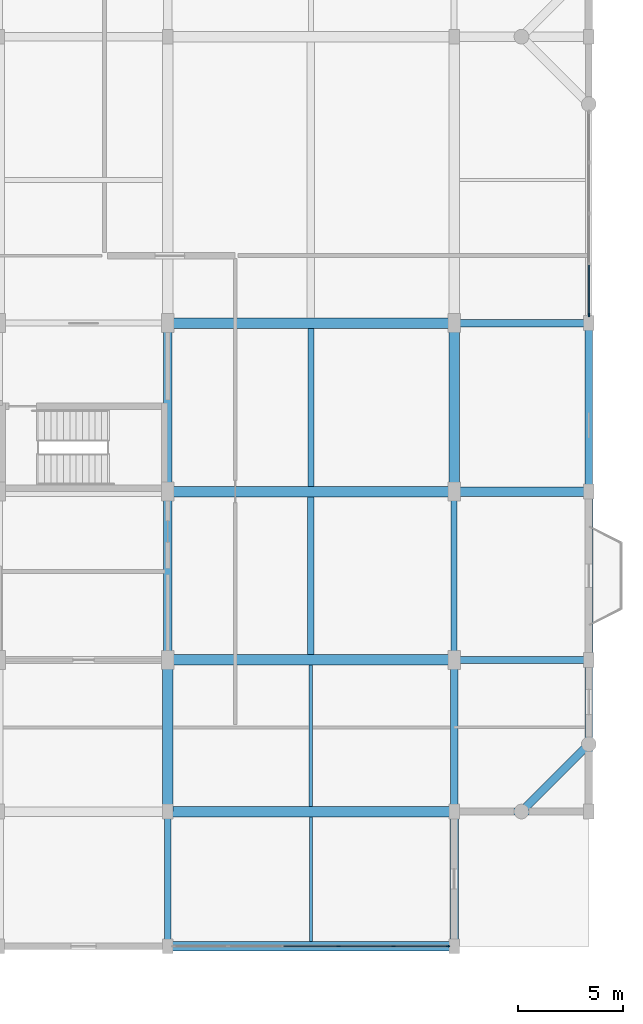
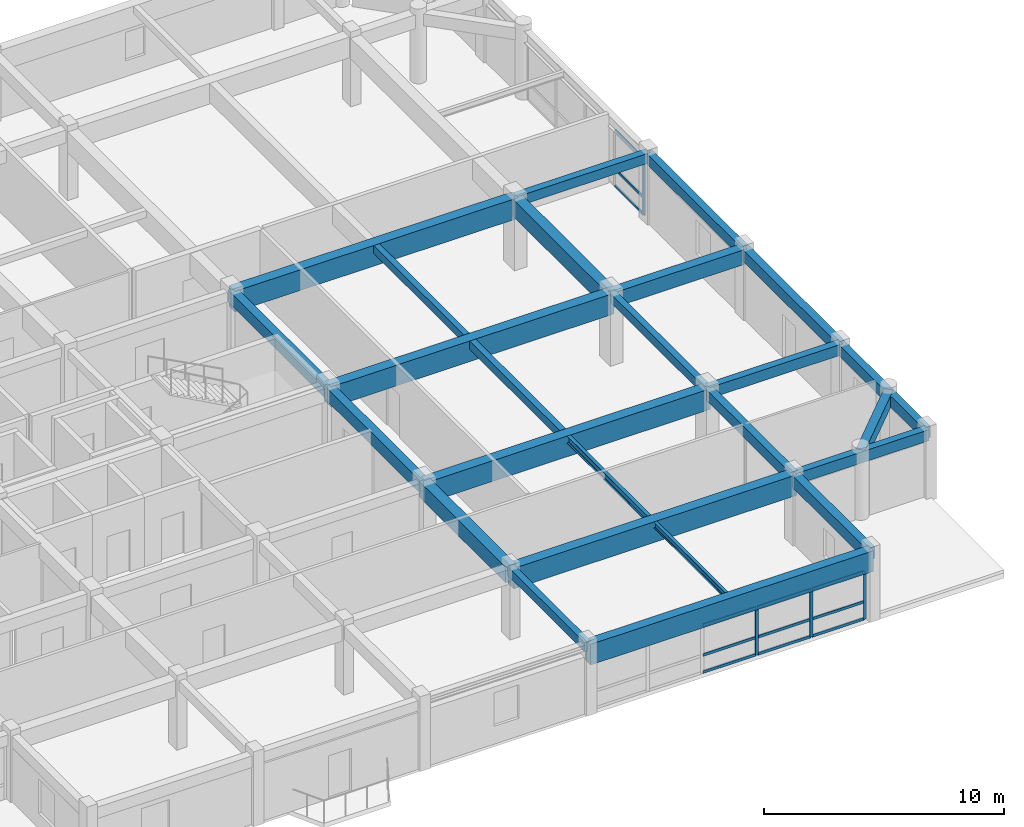
# One storey, part 5 of 14: 25 beams, 16 members, 2 elements without a shape of their own.
"""IFC4 building model written with IfcOpenShell, lengths in metres."""

from ifc_helpers import new_model, si_unit, direction, frame, origin, origin_2d, place, context, subcontext, project, spatial, rectangle, i_section, extrude, material, material_profile, profile_set, type_object, element, aggregate, save


model = new_model("IFC4")

# Units and contexts
model_context = context("Model", 3, precision=1e-05, world=origin(), true_north=direction((0.0, 1.0)))
body_context = subcontext(model_context, "Body", "Model", "MODEL_VIEW")
ifc_project = project(units=[si_unit("LENGTHUNIT", "METRE"), si_unit("AREAUNIT", "SQUARE_METRE"), si_unit("VOLUMEUNIT", "CUBIC_METRE"), si_unit("PLANEANGLEUNIT", "RADIAN"), si_unit("MASSUNIT", "GRAM", prefix="KILO")], contexts=[model_context])

# Site, building, storey
site_placement = place(None, origin())
site = spatial("IfcSite", under=ifc_project, at=site_placement, CompositionType="ELEMENT")
building_placement = place(site_placement, origin())
building = spatial("IfcBuilding", under=site, at=building_placement, Name="Vellmiral Cinema and Media Centre", CompositionType="ELEMENT")
storey_placement = place(building_placement, frame((0.0, 0.0, 47.10009765625)))
storey = spatial("IfcBuildingStorey", under=building, at=storey_placement, Name="L11", CompositionType="ELEMENT", Elevation=47.10009765625)

# Beams
ifc_material_1 = material(Name="Concrete C40/50", Category="concrete")
ifc_material_profile_1 = material_profile(ifc_material_1, rectangle(XDim=0.300048828125, YDim=0.449951171875, at=origin_2d()), Name="RC 300x450")
ifc_profile_set_1 = profile_set([ifc_material_profile_1], Name="Concrete C40/50")
beam_type_1 = type_object("IfcBeamType", Name="BM-RC-300x450", PredefinedType="BEAM", material=ifc_profile_set_1)
beam_1_placement = place(storey_placement, frame((148.0, 65.60009765625, 3.27001953125), z_axis=(0.0, 1.0, 0.0), x_axis=(-1.0, 0.0, 0.0)))
element("IfcBeam", 1, at=beam_1_placement, inside=storey, type_object=beam_type_1, Name="Grid Beam L11-Y063", PredefinedType="BEAM", context=body_context, shape_type="SweptSolid", body=[
    extrude(rectangle(XDim=0.300048828125, YDim=0.449951171875, at=origin_2d()), origin(), (0.0, 0.0, 1.0), 6.39990234375),
])
beam_2_placement = place(storey_placement, frame((161.60009765625, 79.199951171875, 3.27001953125), z_axis=(0.0, 1.0, 0.0), x_axis=(-1.0, 0.0, 0.0)))
element("IfcBeam", 2, at=beam_2_placement, inside=storey, type_object=beam_type_1, Name="Grid Beam L11-Y071", PredefinedType="BEAM", context=body_context, shape_type="SweptSolid", body=[
    extrude(rectangle(XDim=0.300048828125, YDim=0.449951171875, at=origin_2d()), origin(), (0.0, 0.0, 1.0), 8.0),
])
ifc_material_2 = material(Name="Concrete C40/50", Category="concrete")
ifc_material_profile_2 = material_profile(ifc_material_2, rectangle(XDim=0.35009765625, YDim=0.5, at=origin_2d()), Name="RC 350x500")
ifc_profile_set_2 = profile_set([ifc_material_profile_2], Name="Concrete C40/50")
beam_type_2 = type_object("IfcBeamType", Name="BM-RC-350x500", PredefinedType="BEAM", material=ifc_profile_set_2)
beam_3_placement = place(storey_placement, frame((161.60009765625, 95.199951171875, 3.244873046875), z_axis=(1.0, 0.0, 0.0), x_axis=(0.0, 1.0, 0.0)))
element("IfcBeam", 3, at=beam_3_placement, inside=storey, type_object=beam_type_2, Name="Grid Beam L11-X028", PredefinedType="BEAM", context=body_context, shape_type="SweptSolid", body=[
    extrude(rectangle(XDim=0.35009765625, YDim=0.5, at=origin_2d()), origin(), (0.0, 0.0, 1.0), 6.39990234375),
])
ifc_material_3 = material(Name="Concrete C40/50", Category="concrete")
ifc_material_profile_3 = material_profile(ifc_material_3, rectangle(XDim=0.35009765625, YDim=0.550048828125, at=origin_2d()), Name="RC 350x550")
ifc_profile_set_3 = profile_set([ifc_material_profile_3], Name="Concrete C40/50")
beam_type_3 = type_object("IfcBeamType", Name="BM-RC-350x550", PredefinedType="BEAM", material=ifc_profile_set_3)
beam_4_placement = place(storey_placement, frame((161.60009765625, 79.199951171875, 3.219970703125), z_axis=(1.0, 0.0, 0.0), x_axis=(0.0, 1.0, 0.0)))
element("IfcBeam", 4, at=beam_4_placement, inside=storey, type_object=beam_type_3, Name="Grid Beam L11-X016", PredefinedType="BEAM", context=body_context, shape_type="SweptSolid", body=[
    extrude(rectangle(XDim=0.35009765625, YDim=0.550048828125, at=origin_2d()), origin(), (0.0, 0.0, 1.0), 6.39990234375),
])
beam_5_placement = place(storey_placement, frame((161.60009765625, 72.0, 3.219970703125), z_axis=(0.0, 1.0, 0.0), x_axis=(-1.0, 0.0, 0.0)))
element("IfcBeam", 5, at=beam_5_placement, inside=storey, type_object=beam_type_3, Name="Grid Beam L11-Y070", PredefinedType="BEAM", context=body_context, shape_type="SweptSolid", body=[
    extrude(rectangle(XDim=0.35009765625, YDim=0.550048828125, at=origin_2d()), origin(), (0.0, 0.0, 1.0), 7.199951171875),
])
ifc_material_4 = material(Name="Concrete C40/50", Category="concrete")
ifc_material_profile_4 = material_profile(ifc_material_4, rectangle(XDim=0.39990234375, YDim=0.60009765625, at=origin_2d()), Name="RC 400x600")
ifc_profile_set_4 = profile_set([ifc_material_profile_4], Name="Concrete C40/50")
beam_type_4 = type_object("IfcBeamType", Name="BM-RC-400x600", PredefinedType="BEAM", material=ifc_profile_set_4)
beam_6_placement = place(storey_placement, frame((148.0, 87.199951171875, 3.19482421875), z_axis=(0.0, 1.0, 0.0), x_axis=(-1.0, 0.0, 0.0)))
element("IfcBeam", 6, at=beam_6_placement, inside=storey, type_object=beam_type_4, Name="Grid Beam L11-Y066", PredefinedType="BEAM", context=body_context, shape_type="SweptSolid", body=[
    extrude(rectangle(XDim=0.39990234375, YDim=0.60009765625, at=origin_2d()), origin(), (0.0, 0.0, 1.0), 8.0),
])
ifc_material_5 = material(Name="Concrete C40/50", Category="concrete")
ifc_material_profile_5 = material_profile(ifc_material_5, rectangle(XDim=0.39990234375, YDim=0.64990234375, at=origin_2d()), Name="RC 400x650")
ifc_profile_set_5 = profile_set([ifc_material_profile_5], Name="Concrete C40/50")
beam_type_5 = type_object("IfcBeamType", Name="BM-RC-400x650", PredefinedType="BEAM", material=ifc_profile_set_5)
beam_7_placement = place(storey_placement, frame((148.0, 79.199951171875, 3.169921875), z_axis=(0.0, 1.0, 0.0), x_axis=(-1.0, 0.0, 0.0)))
element("IfcBeam", 7, at=beam_7_placement, inside=storey, type_object=beam_type_5, Name="Grid Beam L11-Y065", PredefinedType="BEAM", context=body_context, shape_type="SweptSolid", body=[
    extrude(rectangle(XDim=0.39990234375, YDim=0.64990234375, at=origin_2d()), origin(), (0.0, 0.0, 1.0), 8.0),
])
ifc_material_6 = material(Name="Concrete C40/50", Category="concrete")
ifc_material_profile_6 = material_profile(ifc_material_6, rectangle(XDim=0.449951171875, YDim=0.75, at=origin_2d()), Name="RC 450x750")
ifc_profile_set_6 = profile_set([ifc_material_profile_6], Name="Concrete C40/50")
beam_type_6 = type_object("IfcBeamType", Name="BM-RC-450x750", PredefinedType="BEAM", material=ifc_profile_set_6)
beam_8_placement = place(storey_placement, frame((161.60009765625, 87.199951171875, 3.119873046875), z_axis=(1.0, 0.0, 0.0), x_axis=(0.0, 1.0, 0.0)))
element("IfcBeam", 8, at=beam_8_placement, inside=storey, type_object=beam_type_6, Name="Grid Beam L11-X022", PredefinedType="BEAM", context=body_context, shape_type="SweptSolid", body=[
    extrude(rectangle(XDim=0.449951171875, YDim=0.75, at=origin_2d()), origin(), (0.0, 0.0, 1.0), 6.39990234375),
])
ifc_material_7 = material(Name="Concrete C40/50", Category="concrete")
ifc_material_profile_7 = material_profile(ifc_material_7, rectangle(XDim=0.5, YDim=0.800048828125, at=origin_2d()), Name="RC 500x800")
ifc_profile_set_7 = profile_set([ifc_material_profile_7], Name="Concrete C40/50")
beam_type_7 = type_object("IfcBeamType", Name="BM-RC-500x800", PredefinedType="BEAM", material=ifc_profile_set_7)
beam_9_placement = place(storey_placement, frame((148.0, 72.0, 3.094970703125), z_axis=(0.0, 1.0, 0.0), x_axis=(-1.0, 0.0, 0.0)))
element("IfcBeam", 9, at=beam_9_placement, inside=storey, type_object=beam_type_7, Name="Grid Beam L11-Y064", PredefinedType="BEAM", context=body_context, shape_type="SweptSolid", body=[
    extrude(rectangle(XDim=0.5, YDim=0.800048828125, at=origin_2d()), origin(), (0.0, 0.0, 1.0), 7.199951171875),
])
ifc_material_8 = material(Name="Concrete C40/50", Category="concrete")
ifc_material_profile_8 = material_profile(ifc_material_8, rectangle(XDim=0.5, YDim=0.85009765625, at=origin_2d()), Name="RC 500x850")
ifc_profile_set_8 = profile_set([ifc_material_profile_8], Name="Concrete C40/50")
beam_type_8 = type_object("IfcBeamType", Name="BM-RC-500x850", PredefinedType="BEAM", material=ifc_profile_set_8)
beam_10_placement = place(storey_placement, frame((161.60009765625, 87.199951171875, 3.06982421875), z_axis=(0.0, 1.0, 0.0), x_axis=(-1.0, 0.0, 0.0)))
element("IfcBeam", 10, at=beam_10_placement, inside=storey, type_object=beam_type_8, Name="Grid Beam L11-Y072", PredefinedType="BEAM", context=body_context, shape_type="SweptSolid", body=[
    extrude(rectangle(XDim=0.5, YDim=0.85009765625, at=origin_2d()), origin(), (0.0, 0.0, 1.0), 8.0),
])
ifc_material_9 = material(Name="Concrete C40/50", Category="concrete")
ifc_material_profile_9 = material_profile(ifc_material_9, rectangle(XDim=0.5, YDim=1.050048828125, at=origin_2d()), Name="RC 500x1050")
ifc_profile_set_9 = profile_set([ifc_material_profile_9], Name="Concrete C40/50")
beam_type_9 = type_object("IfcBeamType", Name="BM-RCG-500x1050", PredefinedType="BEAM", material=ifc_profile_set_9)
for number, where, z_axis, x_axis, name in (
    (11, (148.0, 72.0, 2.969970703125), (1.0, 0.0, 0.0), (0.0, 1.0, 0.0), "Grid Beam L11-X009"),
    (12, (148.0, 79.199951171875, 2.969970703125), (1.0, 0.0, 0.0), (0.0, 1.0, 0.0), "Grid Beam L11-X015"),
    (13, (148.0, 87.199951171875, 2.969970703125), (1.0, 0.0, 0.0), (0.0, 1.0, 0.0), "Grid Beam L11-X021"),
    (14, (148.0, 95.199951171875, 2.969970703125), (1.0, 0.0, 0.0), (0.0, 1.0, 0.0), "Grid Beam L11-X027"),
):
    element("IfcBeam", number, at=place(storey_placement, frame(where, z_axis=z_axis, x_axis=x_axis)), inside=storey, type_object=beam_type_9, Name=name, PredefinedType="BEAM", context=body_context, shape_type="SweptSolid", body=[
        extrude(rectangle(XDim=0.5, YDim=1.050048828125, at=origin_2d()), origin(), (0.0, 0.0, 1.0), 13.60009765625),
    ])

# Curtain wall, members
ifc_material_10 = material(Name="Thermally Broken Aluminium and Triple Glazing", Category="aluminium")
curtain_wall_type = type_object("IfcCurtainWallType", Name="CW-TOWER-MID-E", PredefinedType="USERDEFINED", material=ifc_material_10)
curtain_wall_1_placement = place(storey_placement, origin())
curtain_wall_1 = element("IfcCurtainWall", 15, at=curtain_wall_1_placement, inside=storey, type_object=curtain_wall_type, Name="Curtain Wall L11-B004", ObjectType="UNITISED CURTAIN WALL", PredefinedType="USERDEFINED")
ifc_material_11 = material(Name="Thermally Broken Anodised Aluminium", Category="aluminium")
ifc_material_profile_10 = material_profile(ifc_material_11, rectangle(XDim=0.06494140625, YDim=0.159912109375, at=origin_2d()), Name="MULL 65x160")
ifc_profile_set_10 = profile_set([ifc_material_profile_10], Name="Thermally Broken Anodised Aluminium")
member_type_1 = type_object("IfcMemberType", Name="CWM-65x160", PredefinedType="MULLION", material=ifc_profile_set_10)
member_1_placement = place(storey_placement, frame((156.110107421875, 65.60009765625, 0.0), z_axis=(0.0, 0.0, 1.0), x_axis=(0.0, 1.0, 0.0)))
member_1 = element("IfcMember", 16, at=member_1_placement, type_object=member_type_1, Name="CW-07 mullion 4", PredefinedType="MULLION", context=body_context, shape_type="SweptSolid", body=[
    extrude(rectangle(XDim=0.06494140625, YDim=0.159912109375, at=origin_2d()), origin(), (0.0, 0.0, 1.0), 2.434814453125),
])
member_2_placement = place(storey_placement, frame((158.72998046875, 65.60009765625, 0.0), z_axis=(0.0, 0.0, 1.0), x_axis=(0.0, 1.0, 0.0)))
member_2 = element("IfcMember", 17, at=member_2_placement, type_object=member_type_1, Name="CW-07 mullion 5", PredefinedType="MULLION", context=body_context, shape_type="SweptSolid", body=[
    extrude(rectangle(XDim=0.06494140625, YDim=0.159912109375, at=origin_2d()), origin(), (0.0, 0.0, 1.0), 2.434814453125),
])
member_3_placement = place(storey_placement, frame((161.3173828125, 65.60009765625, 0.0), z_axis=(0.0, 0.0, 1.0), x_axis=(0.0, 1.0, 0.0)))
member_3 = element("IfcMember", 18, at=member_3_placement, type_object=member_type_1, Name="CW-07 mullion 6", PredefinedType="MULLION", context=body_context, shape_type="SweptSolid", body=[
    extrude(rectangle(XDim=0.06494140625, YDim=0.159912109375, at=origin_2d()), origin(), (0.0, 0.0, 1.0), 2.434814453125),
])

# Curtain wall, member
curtain_wall_2_placement = place(storey_placement, origin())
curtain_wall_2 = element("IfcCurtainWall", 19, at=curtain_wall_2_placement, inside=storey, type_object=curtain_wall_type, Name="Curtain Wall L11-B012", ObjectType="UNITISED CURTAIN WALL", PredefinedType="USERDEFINED")
member_4_placement = place(storey_placement, frame((168.0, 95.58251953125, 0.0), z_axis=(0.0, 0.0, 1.0), x_axis=(-1.0, 0.0, 0.0)))
member_4 = element("IfcMember", 20, at=member_4_placement, type_object=member_type_1, Name="CW-07 mullion 1", PredefinedType="MULLION", context=body_context, shape_type="SweptSolid", body=[
    extrude(rectangle(XDim=0.06494140625, YDim=0.159912109375, at=origin_2d()), origin(), (0.0, 0.0, 1.0), 2.885009765625),
])

# Member
ifc_material_12 = material(Name="Thermally Broken Anodised Aluminium", Category="aluminium")
ifc_material_profile_11 = material_profile(ifc_material_12, rectangle(XDim=0.06494140625, YDim=0.135009765625, at=origin_2d()), Name="MULL 65x135")
ifc_profile_set_11 = profile_set([ifc_material_profile_11], Name="Thermally Broken Anodised Aluminium")
member_type_2 = type_object("IfcMemberType", Name="CWT-65x135", PredefinedType="USERDEFINED", material=ifc_profile_set_11)
member_5_placement = place(storey_placement, frame((153.5224609375, 65.60009765625, 0.032470703125), z_axis=(1.0, 0.0, 0.0), x_axis=(0.0, 1.0, 0.0)))
member_5 = element("IfcMember", 21, at=member_5_placement, type_object=member_type_2, Name="CW-07 transom 3.1", ObjectType="TRANSOM", PredefinedType="USERDEFINED", context=body_context, shape_type="SweptSolid", body=[
    extrude(rectangle(XDim=0.06494140625, YDim=0.135009765625, at=origin_2d()), origin(), (0.0, 0.0, 1.0), 2.554931640625),
])

member_6_placement = place(storey_placement, frame((153.5224609375, 65.60009765625, 0.89990234375), z_axis=(1.0, 0.0, 0.0), x_axis=(0.0, 1.0, 0.0)))
member_6 = element("IfcMember", 22, at=member_6_placement, type_object=member_type_2, Name="CW-07 transom 3.2", ObjectType="TRANSOM", PredefinedType="USERDEFINED", context=body_context, shape_type="SweptSolid", body=[
    extrude(rectangle(XDim=0.06494140625, YDim=0.135009765625, at=origin_2d()), origin(), (0.0, 0.0, 1.0), 2.554931640625),
])

member_7_placement = place(storey_placement, frame((153.5224609375, 65.60009765625, 2.40234375), z_axis=(1.0, 0.0, 0.0), x_axis=(0.0, 1.0, 0.0)))
member_7 = element("IfcMember", 23, at=member_7_placement, type_object=member_type_2, Name="CW-07 transom 3.3", ObjectType="TRANSOM", PredefinedType="USERDEFINED", context=body_context, shape_type="SweptSolid", body=[
    extrude(rectangle(XDim=0.06494140625, YDim=0.135009765625, at=origin_2d()), origin(), (0.0, 0.0, 1.0), 2.554931640625),
])

member_8_placement = place(storey_placement, frame((156.142578125, 65.60009765625, 0.032470703125), z_axis=(1.0, 0.0, 0.0), x_axis=(0.0, 1.0, 0.0)))
member_8 = element("IfcMember", 24, at=member_8_placement, type_object=member_type_2, Name="CW-07 transom 4.1", ObjectType="TRANSOM", PredefinedType="USERDEFINED", context=body_context, shape_type="SweptSolid", body=[
    extrude(rectangle(XDim=0.06494140625, YDim=0.135009765625, at=origin_2d()), origin(), (0.0, 0.0, 1.0), 2.554931640625),
])

member_9_placement = place(storey_placement, frame((156.142578125, 65.60009765625, 0.89990234375), z_axis=(1.0, 0.0, 0.0), x_axis=(0.0, 1.0, 0.0)))
member_9 = element("IfcMember", 25, at=member_9_placement, type_object=member_type_2, Name="CW-07 transom 4.2", ObjectType="TRANSOM", PredefinedType="USERDEFINED", context=body_context, shape_type="SweptSolid", body=[
    extrude(rectangle(XDim=0.06494140625, YDim=0.135009765625, at=origin_2d()), origin(), (0.0, 0.0, 1.0), 2.554931640625),
])

member_10_placement = place(storey_placement, frame((156.142578125, 65.60009765625, 2.40234375), z_axis=(1.0, 0.0, 0.0), x_axis=(0.0, 1.0, 0.0)))
member_10 = element("IfcMember", 26, at=member_10_placement, type_object=member_type_2, Name="CW-07 transom 4.3", ObjectType="TRANSOM", PredefinedType="USERDEFINED", context=body_context, shape_type="SweptSolid", body=[
    extrude(rectangle(XDim=0.06494140625, YDim=0.135009765625, at=origin_2d()), origin(), (0.0, 0.0, 1.0), 2.554931640625),
])

member_11_placement = place(storey_placement, frame((158.762451171875, 65.60009765625, 0.032470703125), z_axis=(1.0, 0.0, 0.0), x_axis=(0.0, 1.0, 0.0)))
member_11 = element("IfcMember", 27, at=member_11_placement, type_object=member_type_2, Name="CW-07 transom 5.1", ObjectType="TRANSOM", PredefinedType="USERDEFINED", context=body_context, shape_type="SweptSolid", body=[
    extrude(rectangle(XDim=0.06494140625, YDim=0.135009765625, at=origin_2d()), origin(), (0.0, 0.0, 1.0), 2.5224609375),
])

member_12_placement = place(storey_placement, frame((158.762451171875, 65.60009765625, 0.89990234375), z_axis=(1.0, 0.0, 0.0), x_axis=(0.0, 1.0, 0.0)))
member_12 = element("IfcMember", 28, at=member_12_placement, type_object=member_type_2, Name="CW-07 transom 5.2", ObjectType="TRANSOM", PredefinedType="USERDEFINED", context=body_context, shape_type="SweptSolid", body=[
    extrude(rectangle(XDim=0.06494140625, YDim=0.135009765625, at=origin_2d()), origin(), (0.0, 0.0, 1.0), 2.5224609375),
])

member_13_placement = place(storey_placement, frame((158.762451171875, 65.60009765625, 2.40234375), z_axis=(1.0, 0.0, 0.0), x_axis=(0.0, 1.0, 0.0)))
member_13 = element("IfcMember", 29, at=member_13_placement, type_object=member_type_2, Name="CW-07 transom 5.3", ObjectType="TRANSOM", PredefinedType="USERDEFINED", context=body_context, shape_type="SweptSolid", body=[
    extrude(rectangle(XDim=0.06494140625, YDim=0.135009765625, at=origin_2d()), origin(), (0.0, 0.0, 1.0), 2.5224609375),
])

aggregate(curtain_wall_1, [member_1, member_2, member_3, member_5, member_6, member_7, member_8, member_9, member_10, member_11, member_12, member_13])

member_14_placement = place(storey_placement, frame((168.0, 95.614990234375, 0.032470703125), z_axis=(0.0, 1.0, 0.0), x_axis=(-1.0, 0.0, 0.0)))
member_14 = element("IfcMember", 30, at=member_14_placement, type_object=member_type_2, Name="CW-07 transom 1.1", ObjectType="TRANSOM", PredefinedType="USERDEFINED", context=body_context, shape_type="SweptSolid", body=[
    extrude(rectangle(XDim=0.06494140625, YDim=0.135009765625, at=origin_2d()), origin(), (0.0, 0.0, 1.0), 2.327392578125),
])

member_15_placement = place(storey_placement, frame((168.0, 95.614990234375, 0.89990234375), z_axis=(0.0, 1.0, 0.0), x_axis=(-1.0, 0.0, 0.0)))
member_15 = element("IfcMember", 31, at=member_15_placement, type_object=member_type_2, Name="CW-07 transom 1.2", ObjectType="TRANSOM", PredefinedType="USERDEFINED", context=body_context, shape_type="SweptSolid", body=[
    extrude(rectangle(XDim=0.06494140625, YDim=0.135009765625, at=origin_2d()), origin(), (0.0, 0.0, 1.0), 2.327392578125),
])

member_16_placement = place(storey_placement, frame((168.0, 95.614990234375, 2.852294921875), z_axis=(0.0, 1.0, 0.0), x_axis=(-1.0, 0.0, 0.0)))
member_16 = element("IfcMember", 32, at=member_16_placement, type_object=member_type_2, Name="CW-07 transom 1.3", ObjectType="TRANSOM", PredefinedType="USERDEFINED", context=body_context, shape_type="SweptSolid", body=[
    extrude(rectangle(XDim=0.06494140625, YDim=0.135009765625, at=origin_2d()), origin(), (0.0, 0.0, 1.0), 2.327392578125),
])

aggregate(curtain_wall_2, [member_4, member_14, member_15, member_16])

# Beams
ifc_material_13 = material(Name="Concrete C40/50", Category="concrete")
ifc_material_profile_12 = material_profile(ifc_material_13, rectangle(XDim=0.280029296875, YDim=0.39990234375, at=origin_2d()), Name="RC 280x400")
ifc_profile_set_12 = profile_set([ifc_material_profile_12], Name="Concrete C40/50")
beam_type_10 = type_object("IfcBeamType", Name="JST-RC-280x400", PredefinedType="JOIST", material=ifc_profile_set_12)
beam_11_placement = place(storey_placement, frame((154.800048828125, 87.449951171875, 3.294921875), z_axis=(0.0, 1.0, 0.0), x_axis=(-1.0, 0.0, 0.0)))
element("IfcBeam", 33, at=beam_11_placement, inside=storey, type_object=beam_type_10, Name="Secondary Floor Joist L11-008", PredefinedType="JOIST", context=body_context, shape_type="SweptSolid", body=[
    extrude(rectangle(XDim=0.280029296875, YDim=0.39990234375, at=origin_2d()), origin(), (0.0, 0.0, 1.0), 7.5),
])
ifc_material_14 = material(Name="Concrete C40/50", Category="concrete")
ifc_material_profile_13 = material_profile(ifc_material_14, rectangle(XDim=0.300048828125, YDim=0.419921875, at=origin_2d()), Name="RC 300x420")
ifc_profile_set_13 = profile_set([ifc_material_profile_13], Name="Concrete C40/50")
beam_type_11 = type_object("IfcBeamType", Name="JST-RC-300x420", PredefinedType="JOIST", material=ifc_profile_set_13)
beam_12_placement = place(storey_placement, frame((154.800048828125, 79.449951171875, 3.284912109375), z_axis=(0.0, 1.0, 0.0), x_axis=(-1.0, 0.0, 0.0)))
element("IfcBeam", 34, at=beam_12_placement, inside=storey, type_object=beam_type_11, Name="Secondary Floor Joist L11-007", PredefinedType="JOIST", context=body_context, shape_type="SweptSolid", body=[
    extrude(rectangle(XDim=0.300048828125, YDim=0.419921875, at=origin_2d()), origin(), (0.0, 0.0, 1.0), 7.5),
])
ifc_material_15 = material(Name="Steel S355", Category="steel")
ifc_material_profile_14 = material_profile(ifc_material_15, i_section(OverallWidth=0.14990234375, OverallDepth=0.300048828125, WebThickness=0.007080078125, FlangeThickness=0.0107421875, FilletRadius=0.014892578125, at=origin_2d()), Name="IPE 300")
ifc_profile_set_14 = profile_set([ifc_material_profile_14], Name="Steel S355")
beam_type_12 = type_object("IfcBeamType", Name="SBM-IPE300", PredefinedType="JOIST", material=ifc_profile_set_14)
beam_13_placement = place(storey_placement, frame((154.800048828125, 65.824951171875, 3.344970703125), z_axis=(0.0, 1.0, 0.0), x_axis=(-1.0, 0.0, 0.0)))
element("IfcBeam", 35, at=beam_13_placement, inside=storey, type_object=beam_type_12, Name="Secondary Floor Joist L11-005", PredefinedType="JOIST", context=body_context, shape_type="SweptSolid", body=[
    extrude(i_section(OverallWidth=0.14990234375, OverallDepth=0.300048828125, WebThickness=0.007080078125, FlangeThickness=0.0107421875, FilletRadius=0.014892578125, at=origin_2d()), origin(), (0.0, 0.0, 1.0), 5.925048828125),
])
ifc_material_16 = material(Name="Steel S355", Category="steel")
ifc_material_profile_15 = material_profile(ifc_material_16, i_section(OverallWidth=0.169921875, OverallDepth=0.360107421875, WebThickness=0.008056640625, FlangeThickness=0.0126953125, FilletRadius=0.01806640625, at=origin_2d()), Name="IPE 360")
ifc_profile_set_15 = profile_set([ifc_material_profile_15], Name="Steel S355")
beam_type_13 = type_object("IfcBeamType", Name="SBM-IPE360", PredefinedType="JOIST", material=ifc_profile_set_15)
beam_14_placement = place(storey_placement, frame((154.800048828125, 72.25, 3.31494140625), z_axis=(0.0, 1.0, 0.0), x_axis=(-1.0, 0.0, 0.0)))
element("IfcBeam", 36, at=beam_14_placement, inside=storey, type_object=beam_type_13, Name="Secondary Floor Joist L11-006", PredefinedType="JOIST", context=body_context, shape_type="SweptSolid", body=[
    extrude(i_section(OverallWidth=0.169921875, OverallDepth=0.360107421875, WebThickness=0.008056640625, FlangeThickness=0.0126953125, FilletRadius=0.01806640625, at=origin_2d()), origin(), (0.0, 0.0, 1.0), 6.699951171875),
])
ifc_material_17 = material(Name="Concrete C40/50", Category="concrete")
ifc_material_profile_16 = material_profile(ifc_material_17, rectangle(XDim=0.35009765625, YDim=0.56005859375, at=origin_2d()), Name="RC 350x560")
ifc_profile_set_16 = profile_set([ifc_material_profile_16], Name="Concrete C40/50")
beam_type_14 = type_object("IfcBeamType", Name="SPD-RC-350x560", PredefinedType="SPANDREL", material=ifc_profile_set_16)
beam_15_placement = place(storey_placement, frame((161.60009765625, 72.0, 3.21484375), z_axis=(1.0, 0.0, 0.0), x_axis=(0.0, 1.0, 0.0)))
element("IfcBeam", 37, at=beam_15_placement, inside=storey, type_object=beam_type_14, Name="Grid Beam L11-X010", PredefinedType="SPANDREL", context=body_context, shape_type="SweptSolid", body=[
    extrude(rectangle(XDim=0.35009765625, YDim=0.56005859375, at=origin_2d()), origin(), (0.0, 0.0, 1.0), 6.39990234375),
])
beam_16_placement = place(storey_placement, frame((168.0, 72.0, 3.21484375), z_axis=(0.0, 1.0, 0.0), x_axis=(-1.0, 0.0, 0.0)))
element("IfcBeam", 38, at=beam_16_placement, inside=storey, type_object=beam_type_14, Name="Grid Beam L11-Y075", PredefinedType="SPANDREL", context=body_context, shape_type="SweptSolid", body=[
    extrude(rectangle(XDim=0.35009765625, YDim=0.56005859375, at=origin_2d()), origin(), (0.0, 0.0, 1.0), 7.199951171875),
])
ifc_material_18 = material(Name="Concrete C40/50", Category="concrete")
ifc_material_profile_17 = material_profile(ifc_material_18, rectangle(XDim=0.39990234375, YDim=0.60009765625, at=origin_2d()), Name="RC 400x600")
ifc_profile_set_17 = profile_set([ifc_material_profile_17], Name="Concrete C40/50")
beam_type_15 = type_object("IfcBeamType", Name="SPD-RC-400x600", PredefinedType="SPANDREL", material=ifc_profile_set_17)
beam_17_placement = place(storey_placement, frame((161.60009765625, 65.60009765625, 3.19482421875), z_axis=(0.0, 1.0, 0.0), x_axis=(-1.0, 0.0, 0.0)))
element("IfcBeam", 39, at=beam_17_placement, inside=storey, type_object=beam_type_15, Name="Grid Beam L11-Y069", PredefinedType="SPANDREL", context=body_context, shape_type="SweptSolid", body=[
    extrude(rectangle(XDim=0.39990234375, YDim=0.60009765625, at=origin_2d()), origin(), (0.0, 0.0, 1.0), 6.39990234375),
])
beam_18_placement = place(storey_placement, frame((164.800048828125, 72.0, 3.19482421875), z_axis=(0.707106781187, 0.707106781187, 0.0), x_axis=(-0.707106781187, 0.707106781187, 0.0)))
element("IfcBeam", 40, at=beam_18_placement, inside=storey, type_object=beam_type_15, Name="Xamfra Chamfer Spandrel Beam L11-081", PredefinedType="SPANDREL", context=body_context, shape_type="SweptSolid", body=[
    extrude(rectangle(XDim=0.39990234375, YDim=0.60009765625, at=origin_2d()), origin(), (0.0, 0.0, 1.0), 4.525390625),
])
ifc_material_19 = material(Name="Concrete C40/50", Category="concrete")
ifc_material_profile_18 = material_profile(ifc_material_19, rectangle(XDim=0.449951171875, YDim=1.050048828125, at=origin_2d()), Name="RC 450x1050")
ifc_profile_set_18 = profile_set([ifc_material_profile_18], Name="Concrete C40/50")
beam_type_16 = type_object("IfcBeamType", Name="SPD-RCG-450x1050", PredefinedType="SPANDREL", material=ifc_profile_set_18)
beam_19_placement = place(storey_placement, frame((148.0, 65.60009765625, 2.969970703125), z_axis=(1.0, 0.0, 0.0), x_axis=(0.0, 1.0, 0.0)))
element("IfcBeam", 41, at=beam_19_placement, inside=storey, type_object=beam_type_16, Name="Grid Beam L11-X004", PredefinedType="SPANDREL", context=body_context, shape_type="SweptSolid", body=[
    extrude(rectangle(XDim=0.449951171875, YDim=1.050048828125, at=origin_2d()), origin(), (0.0, 0.0, 1.0), 13.60009765625),
])
ifc_material_20 = material(Name="Vosges Red Sandstone Masonry", Category="masonry")
ifc_material_profile_19 = material_profile(ifc_material_20, rectangle(XDim=0.340087890625, YDim=0.52001953125, at=origin_2d()), Name="SAND 340x520")
ifc_profile_set_19 = profile_set([ifc_material_profile_19], Name="Vosges Red Sandstone Masonry")
beam_type_17 = type_object("IfcBeamType", Name="SPD-SAND-340x520", PredefinedType="SPANDREL", material=ifc_profile_set_19)
beam_20_placement = place(storey_placement, frame((168.0, 87.199951171875, 3.23486328125), z_axis=(0.0, 1.0, 0.0), x_axis=(-1.0, 0.0, 0.0)))
element("IfcBeam", 42, at=beam_20_placement, inside=storey, type_object=beam_type_17, Name="Grid Beam L11-Y077", PredefinedType="SPANDREL", context=body_context, shape_type="SweptSolid", body=[
    extrude(rectangle(XDim=0.340087890625, YDim=0.52001953125, at=origin_2d()), origin(), (0.0, 0.0, 1.0), 8.0),
])
ifc_material_21 = material(Name="Vosges Red Sandstone Masonry", Category="masonry")
ifc_material_profile_20 = material_profile(ifc_material_21, rectangle(XDim=0.3798828125, YDim=0.580078125, at=origin_2d()), Name="SAND 380x580")
ifc_profile_set_20 = profile_set([ifc_material_profile_20], Name="Vosges Red Sandstone Masonry")
beam_type_18 = type_object("IfcBeamType", Name="SPD-SAND-380x580", PredefinedType="SPANDREL", material=ifc_profile_set_20)
beam_21_placement = place(storey_placement, frame((168.0, 79.199951171875, 3.204833984375), z_axis=(0.0, 1.0, 0.0), x_axis=(-1.0, 0.0, 0.0)))
element("IfcBeam", 43, at=beam_21_placement, inside=storey, type_object=beam_type_18, Name="Grid Beam L11-Y076", PredefinedType="SPANDREL", context=body_context, shape_type="SweptSolid", body=[
    extrude(rectangle(XDim=0.3798828125, YDim=0.580078125, at=origin_2d()), origin(), (0.0, 0.0, 1.0), 8.0),
])

save(model, "model.ifc")
